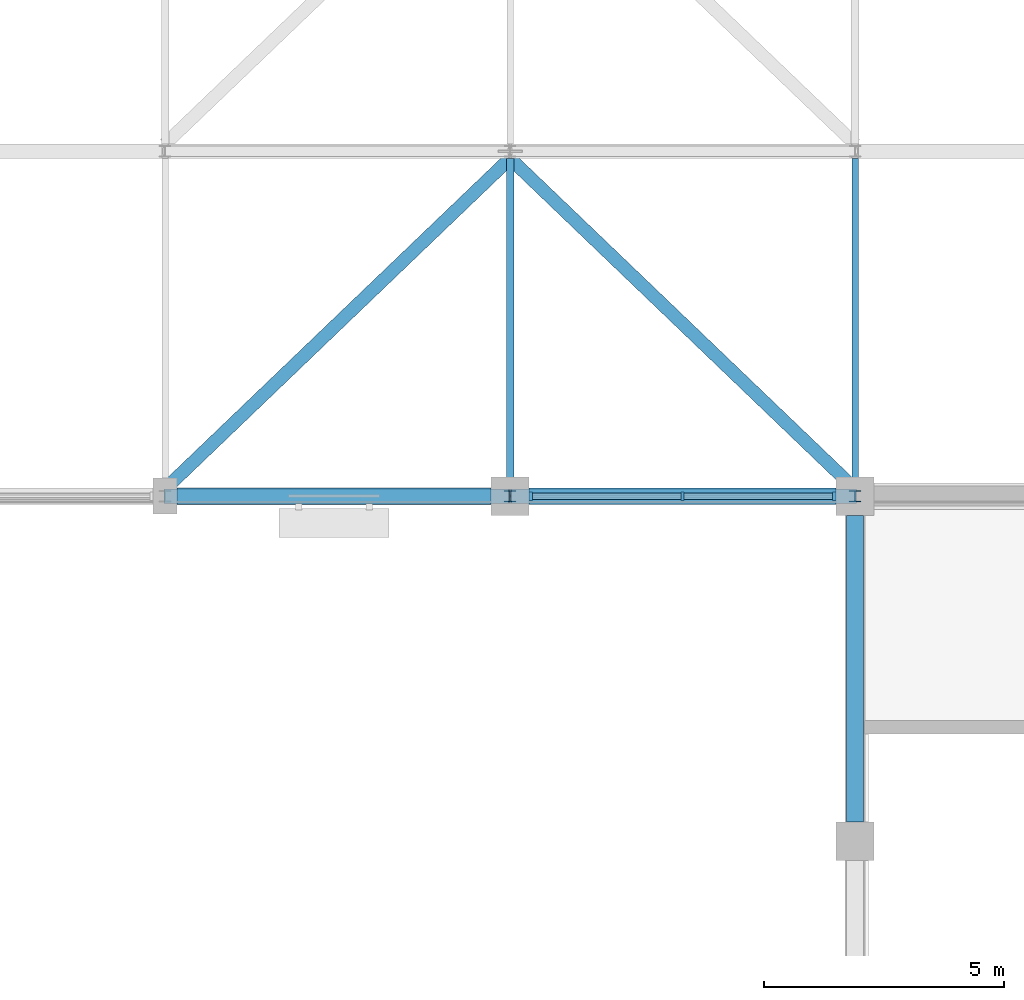
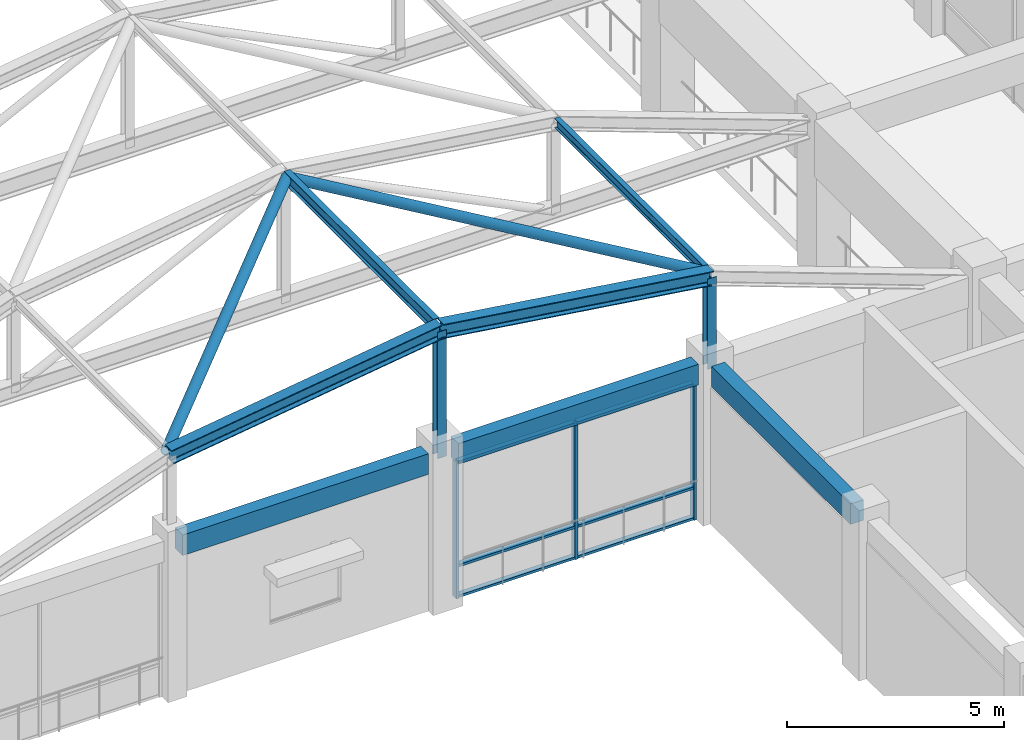
# One storey, part 8 of 75: 17 members, 3 beams, 1 element without a shape of its own.
"""IFC4 building model written with IfcOpenShell, lengths in metres."""

from ifc_helpers import new_model, si_unit, direction, frame, origin, origin_2d, place, context, subcontext, project, spatial, rectangle, hollow_circle, i_section, extrude, material, layer, layer_set, material_profile, profile_set, type_object, element, aggregate, save


model = new_model("IFC4")

# Units and contexts
model_context = context("Model", 3, precision=1e-05, world=origin(), true_north=direction((0.0, 1.0)))
body_context = subcontext(model_context, "Body", "Model", "MODEL_VIEW")
ifc_project = project(units=[si_unit("LENGTHUNIT", "METRE"), si_unit("AREAUNIT", "SQUARE_METRE"), si_unit("VOLUMEUNIT", "CUBIC_METRE"), si_unit("PLANEANGLEUNIT", "RADIAN"), si_unit("MASSUNIT", "GRAM", prefix="KILO")], contexts=[model_context])

# Site, building, storey
site_placement = place(None, origin())
site = spatial("IfcSite", under=ifc_project, at=site_placement, CompositionType="ELEMENT")
building_placement = place(site_placement, origin())
building = spatial("IfcBuilding", under=site, at=building_placement, Name="Cendaluz Park School", CompositionType="ELEMENT")
storey_placement = place(building_placement, frame((0.0, 0.0, 4.800048828125)))
storey = spatial("IfcBuildingStorey", under=building, at=storey_placement, Name="L01", CompositionType="ELEMENT", Elevation=4.800048828125)

# Beams
ifc_material_1 = material(Name="Concrete C40/50", Category="concrete")
ifc_material_profile_1 = material_profile(ifc_material_1, rectangle(XDim=0.35009765625, YDim=0.580078125, at=origin_2d()), Name="RC 350x580", Category="concrete")
ifc_profile_set_1 = profile_set([ifc_material_profile_1], Name="Concrete C40/50")
beam_type = type_object("IfcBeamType", Name="BM-RC04", PredefinedType="LINTEL", material=ifc_profile_set_1)
beam_placement = place(storey_placement, frame((14.64990234375, 57.60009765625, 4.139892578125), z_axis=(1.0, 0.0, 0.0), x_axis=(0.0, 1.0, 0.0)))
element("IfcBeam", 1, at=beam_placement, inside=storey, type_object=beam_type, Name="BM-L01-BMRC04-0029", PredefinedType="LINTEL", context=body_context, shape_type="SweptSolid", body=[
    extrude(rectangle(XDim=0.35009765625, YDim=0.580078125, at=origin_2d()), origin(), (0.0, 0.0, 1.0), 6.550048828125),
])
for number, where, z_axis, x_axis, name in (
    (2, (22.0, 57.60009765625, 4.139892578125), (1.0, 0.0, 0.0), (0.0, 1.0, 0.0), "BM-L01-BMRC04-0038"),
    (3, (28.800048828125, 50.800048828125, 4.139892578125), (0.0, 1.0, 0.0), (-1.0, 0.0, 0.0), "BM-L01-BMRC04-0268"),
):
    element("IfcBeam", number, at=place(storey_placement, frame(where, z_axis=z_axis, x_axis=x_axis)), inside=storey, type_object=beam_type, Name=name, PredefinedType="LINTEL", context=body_context, shape_type="SweptSolid", body=[
        extrude(rectangle(XDim=0.35009765625, YDim=0.580078125, at=origin_2d()), origin(), (0.0, 0.0, 1.0), 6.39990234375),
    ])

# Curtain wall, members
ifc_material_2 = material(Name="Anodised Aluminium 6063-T6", Category="aluminium")
ifc_layer = layer(ifc_material_2, 0.179931640625)
ifc_layer_set = layer_set([ifc_layer], Name="Anodised Aluminium 6063-T6")
curtain_wall_type = type_object("IfcCurtainWallType", Name="CW-128x77", PredefinedType="NOTDEFINED", material=ifc_layer_set)
curtain_wall_placement = place(storey_placement, origin())
curtain_wall = element("IfcCurtainWall", 4, at=curtain_wall_placement, inside=storey, type_object=curtain_wall_type, Name="CW-L01-019", PredefinedType="NOTDEFINED")
ifc_material_profile_2 = material_profile(ifc_material_2, rectangle(XDim=0.179931640625, YDim=0.070068359375, at=origin_2d()), Name="CWM 180x70", Category="aluminium")
ifc_profile_set_2 = profile_set([ifc_material_profile_2], Name="Anodised Aluminium 6063-T6")
member_type_1 = type_object("IfcMemberType", Name="CWM-01", PredefinedType="MULLION", material=ifc_profile_set_2)
member_1_placement = place(storey_placement, frame((22.034912109375, 57.60009765625, 0.0), z_axis=(0.0, 0.0, 1.0), x_axis=(0.0, 1.0, 0.0)))
member_1 = element("IfcMember", 5, at=member_1_placement, type_object=member_type_1, Name="CP-L01-0235", PredefinedType="MULLION", context=body_context, shape_type="SweptSolid", body=[
    extrude(rectangle(XDim=0.179931640625, YDim=0.070068359375, at=origin_2d()), origin(), (0.0, 0.0, 1.0), 3.849853515625),
])
member_2_placement = place(storey_placement, frame((25.199951171875, 57.60009765625, 0.0), z_axis=(0.0, 0.0, 1.0), x_axis=(0.0, 1.0, 0.0)))
member_2 = element("IfcMember", 6, at=member_2_placement, type_object=member_type_1, Name="CP-L01-0236", PredefinedType="MULLION", context=body_context, shape_type="SweptSolid", body=[
    extrude(rectangle(XDim=0.179931640625, YDim=0.070068359375, at=origin_2d()), origin(), (0.0, 0.0, 1.0), 3.849853515625),
])
member_3_placement = place(storey_placement, frame((28.364990234375, 57.60009765625, 0.0), z_axis=(0.0, 0.0, 1.0), x_axis=(0.0, 1.0, 0.0)))
member_3 = element("IfcMember", 7, at=member_3_placement, type_object=member_type_1, Name="CP-L01-0237", PredefinedType="MULLION", context=body_context, shape_type="SweptSolid", body=[
    extrude(rectangle(XDim=0.179931640625, YDim=0.070068359375, at=origin_2d()), origin(), (0.0, 0.0, 1.0), 3.849853515625),
])
ifc_material_profile_3 = material_profile(ifc_material_2, rectangle(XDim=0.139892578125, YDim=0.070068359375, at=origin_2d()), Name="CWT 140x70", Category="aluminium")
ifc_profile_set_3 = profile_set([ifc_material_profile_3], Name="Anodised Aluminium 6063-T6")
member_type_2 = type_object("IfcMemberType", Name="CWT-01", PredefinedType="USERDEFINED", material=ifc_profile_set_3)
member_4_placement = place(storey_placement, frame((22.070068359375, 57.60009765625, 0.034912109375), z_axis=(1.0, 0.0, 0.0), x_axis=(0.0, 1.0, 0.0)))
member_4 = element("IfcMember", 8, at=member_4_placement, type_object=member_type_2, Name="CP-L01-0238", ObjectType="TRANSOM", PredefinedType="USERDEFINED", context=body_context, shape_type="SweptSolid", body=[
    extrude(rectangle(XDim=0.139892578125, YDim=0.070068359375, at=origin_2d()), origin(), (0.0, 0.0, 1.0), 3.094970703125),
])
member_5_placement = place(storey_placement, frame((22.070068359375, 57.60009765625, 0.89990234375), z_axis=(1.0, 0.0, 0.0), x_axis=(0.0, 1.0, 0.0)))
member_5 = element("IfcMember", 9, at=member_5_placement, type_object=member_type_2, Name="CP-L01-0239", ObjectType="TRANSOM", PredefinedType="USERDEFINED", context=body_context, shape_type="SweptSolid", body=[
    extrude(rectangle(XDim=0.139892578125, YDim=0.070068359375, at=origin_2d()), origin(), (0.0, 0.0, 1.0), 3.094970703125),
])
member_6_placement = place(storey_placement, frame((22.070068359375, 57.60009765625, 3.81494140625), z_axis=(1.0, 0.0, 0.0), x_axis=(0.0, 1.0, 0.0)))
member_6 = element("IfcMember", 10, at=member_6_placement, type_object=member_type_2, Name="CP-L01-0240", ObjectType="TRANSOM", PredefinedType="USERDEFINED", context=body_context, shape_type="SweptSolid", body=[
    extrude(rectangle(XDim=0.139892578125, YDim=0.070068359375, at=origin_2d()), origin(), (0.0, 0.0, 1.0), 3.094970703125),
])
member_7_placement = place(storey_placement, frame((25.235107421875, 57.60009765625, 0.034912109375), z_axis=(1.0, 0.0, 0.0), x_axis=(0.0, 1.0, 0.0)))
member_7 = element("IfcMember", 11, at=member_7_placement, type_object=member_type_2, Name="CP-L01-0243", ObjectType="TRANSOM", PredefinedType="USERDEFINED", context=body_context, shape_type="SweptSolid", body=[
    extrude(rectangle(XDim=0.139892578125, YDim=0.070068359375, at=origin_2d()), origin(), (0.0, 0.0, 1.0), 3.094970703125),
])
member_8_placement = place(storey_placement, frame((25.235107421875, 57.60009765625, 0.89990234375), z_axis=(1.0, 0.0, 0.0), x_axis=(0.0, 1.0, 0.0)))
member_8 = element("IfcMember", 12, at=member_8_placement, type_object=member_type_2, Name="CP-L01-0244", ObjectType="TRANSOM", PredefinedType="USERDEFINED", context=body_context, shape_type="SweptSolid", body=[
    extrude(rectangle(XDim=0.139892578125, YDim=0.070068359375, at=origin_2d()), origin(), (0.0, 0.0, 1.0), 3.094970703125),
])
member_9_placement = place(storey_placement, frame((25.235107421875, 57.60009765625, 3.81494140625), z_axis=(1.0, 0.0, 0.0), x_axis=(0.0, 1.0, 0.0)))
member_9 = element("IfcMember", 13, at=member_9_placement, type_object=member_type_2, Name="CP-L01-0245", ObjectType="TRANSOM", PredefinedType="USERDEFINED", context=body_context, shape_type="SweptSolid", body=[
    extrude(rectangle(XDim=0.139892578125, YDim=0.070068359375, at=origin_2d()), origin(), (0.0, 0.0, 1.0), 3.094970703125),
])
aggregate(curtain_wall, [member_1, member_2, member_3, member_4, member_5, member_6, member_7, member_8, member_9])

# Members
ifc_material_3 = material(Name="Steel S355", Category="steel")
ifc_material_profile_4 = material_profile(ifc_material_3, i_section(OverallWidth=0.300048828125, OverallDepth=0.39990234375, WebThickness=0.013916015625, FlangeThickness=0.02392578125, FilletRadius=0.027099609375, at=origin_2d()), Name="HEB 400", Category="steel")
ifc_profile_set_4 = profile_set([ifc_material_profile_4], Name="Steel S355")
member_type_3 = type_object("IfcMemberType", Name="MB-CH01", PredefinedType="CHORD", material=ifc_profile_set_4)
member_10_placement = place(storey_placement, frame((14.39990234375, 57.60009765625, 6.68994140625), z_axis=(0.990113994111, 0.0, 0.140265030089), x_axis=(0.0, 1.0, 0.0)))
element("IfcMember", 14, at=member_10_placement, inside=storey, type_object=member_type_3, Name="MB-L01-MBCH01-0002", PredefinedType="CHORD", context=body_context, shape_type="SweptSolid", body=[
    extrude(i_section(OverallWidth=0.300048828125, OverallDepth=0.39990234375, WebThickness=0.013916015625, FlangeThickness=0.02392578125, FilletRadius=0.027099609375, at=origin_2d()), origin(), (0.0, 0.0, 1.0), 7.27197265625),
])
member_11_placement = place(storey_placement, frame((21.60009765625, 57.60009765625, 7.7099609375), z_axis=(0.990113333567, 0.0, -0.140269692708), x_axis=(0.0, 1.0, 0.0)))
element("IfcMember", 15, at=member_11_placement, inside=storey, type_object=member_type_3, Name="MB-L01-MBCH01-0003", PredefinedType="CHORD", context=body_context, shape_type="SweptSolid", body=[
    extrude(i_section(OverallWidth=0.300048828125, OverallDepth=0.39990234375, WebThickness=0.013916015625, FlangeThickness=0.02392578125, FilletRadius=0.027099609375, at=origin_2d()), origin(), (0.0, 0.0, 1.0), 7.271728515625),
])
ifc_material_profile_5 = material_profile(ifc_material_3, i_section(OverallWidth=0.135009765625, OverallDepth=0.27001953125, WebThickness=0.007080078125, FlangeThickness=0.010009765625, FilletRadius=0.014892578125, at=origin_2d()), Name="IPE 270", Category="steel")
ifc_profile_set_5 = profile_set([ifc_material_profile_5], Name="Steel S355")
member_type_4 = type_object("IfcMemberType", Name="MB-PR01", PredefinedType="PURLIN", material=ifc_profile_set_5)
member_12_placement = place(storey_placement, frame((28.800048828125, 57.75, 6.73486328125), z_axis=(0.0, 1.0, 0.0), x_axis=(-1.0, 0.0, 0.0)))
element("IfcMember", 16, at=member_12_placement, inside=storey, type_object=member_type_4, Name="MB-L01-MBPR01-0062", PredefinedType="PURLIN", context=body_context, shape_type="SweptSolid", body=[
    extrude(i_section(OverallWidth=0.135009765625, OverallDepth=0.27001953125, WebThickness=0.007080078125, FlangeThickness=0.010009765625, FilletRadius=0.014892578125, at=origin_2d()), origin(), (0.0, 0.0, 1.0), 6.89990234375),
])
ifc_material_profile_6 = material_profile(ifc_material_3, i_section(OverallWidth=0.159912109375, OverallDepth=0.330078125, WebThickness=0.008056640625, FlangeThickness=0.011962890625, FilletRadius=0.01806640625, at=origin_2d()), Name="IPE 330", Category="steel")
ifc_profile_set_6 = profile_set([ifc_material_profile_6], Name="Steel S355")
member_type_5 = type_object("IfcMemberType", Name="MB-PR02", PredefinedType="PURLIN", material=ifc_profile_set_6)
member_13_placement = place(storey_placement, frame((21.60009765625, 57.75, 7.73486328125), z_axis=(0.0, 1.0, 0.0), x_axis=(-1.0, 0.0, 0.0)))
element("IfcMember", 17, at=member_13_placement, inside=storey, type_object=member_type_5, Name="MB-L01-MBPR02-0061", PredefinedType="PURLIN", context=body_context, shape_type="SweptSolid", body=[
    extrude(i_section(OverallWidth=0.159912109375, OverallDepth=0.330078125, WebThickness=0.008056640625, FlangeThickness=0.011962890625, FilletRadius=0.01806640625, at=origin_2d()), origin(), (0.0, 0.0, 1.0), 6.89990234375),
])
ifc_material_profile_7 = material_profile(ifc_material_3, hollow_circle(Radius=0.136474609375, WallThickness=0.011962890625, at=origin_2d()), Name="CHS 273x12", Category="steel")
ifc_profile_set_7 = profile_set([ifc_material_profile_7], Name="Steel S355")
member_type_6 = type_object("IfcMemberType", Name="MBR-01", PredefinedType="BRACE", material=ifc_profile_set_7)
member_14_placement = place(storey_placement, frame((14.39990234375, 57.75, 6.68994140625), z_axis=(0.718255132872, 0.688299422393, 0.101751998682), x_axis=(-0.691890474914, 0.722002472796, 0.0)))
element("IfcMember", 18, at=member_14_placement, inside=storey, type_object=member_type_6, Name="MB-L01-MBBR01-0063", PredefinedType="BRACE", context=body_context, shape_type="SweptSolid", body=[
    extrude(hollow_circle(Radius=0.136474609375, WallThickness=0.011962890625, at=origin_2d()), origin(), (0.0, 0.0, 1.0), 10.024658203125),
])
member_15_placement = place(storey_placement, frame((28.800048828125, 57.75, 6.68994140625), z_axis=(-0.718243342444, 0.688311462621, 0.101753778601), x_axis=(-0.691902704581, -0.721990752983, 0.0)))
element("IfcMember", 19, at=member_15_placement, inside=storey, type_object=member_type_6, Name="MB-L01-MBBR01-0064", PredefinedType="BRACE", context=body_context, shape_type="SweptSolid", body=[
    extrude(hollow_circle(Radius=0.136474609375, WallThickness=0.011962890625, at=origin_2d()), origin(), (0.0, 0.0, 1.0), 10.0244140625),
])
ifc_material_profile_8 = material_profile(ifc_material_3, i_section(OverallWidth=0.239990234375, OverallDepth=0.22998046875, WebThickness=0.008056640625, FlangeThickness=0.011962890625, FilletRadius=0.02099609375, at=origin_2d()), Name="HEA 240", Category="steel")
ifc_profile_set_8 = profile_set([ifc_material_profile_8], Name="Steel S355")
member_type_7 = type_object("IfcMemberType", Name="MST-01", PredefinedType="STRUT", material=ifc_profile_set_8)
member_16_placement = place(storey_placement, frame((21.60009765625, 57.60009765625, 4.14990234375), z_axis=(0.0, 0.0, 1.0), x_axis=(1.0, 0.0, 0.0)))
element("IfcMember", 20, at=member_16_placement, inside=storey, type_object=member_type_7, Name="MB-L01-MBST01-0006", PredefinedType="STRUT", context=body_context, shape_type="SweptSolid", body=[
    extrude(i_section(OverallWidth=0.239990234375, OverallDepth=0.22998046875, WebThickness=0.008056640625, FlangeThickness=0.011962890625, FilletRadius=0.02099609375, at=origin_2d()), origin(), (0.0, 0.0, 1.0), 3.56005859375),
])
member_17_placement = place(storey_placement, frame((28.800048828125, 57.60009765625, 4.14990234375), z_axis=(0.0, 0.0, 1.0), x_axis=(1.0, 0.0, 0.0)))
element("IfcMember", 21, at=member_17_placement, inside=storey, type_object=member_type_7, Name="MB-L01-MBST01-0007", PredefinedType="STRUT", context=body_context, shape_type="SweptSolid", body=[
    extrude(i_section(OverallWidth=0.239990234375, OverallDepth=0.22998046875, WebThickness=0.008056640625, FlangeThickness=0.011962890625, FilletRadius=0.02099609375, at=origin_2d()), origin(), (0.0, 0.0, 1.0), 2.5400390625),
])

save(model, "model.ifc")
